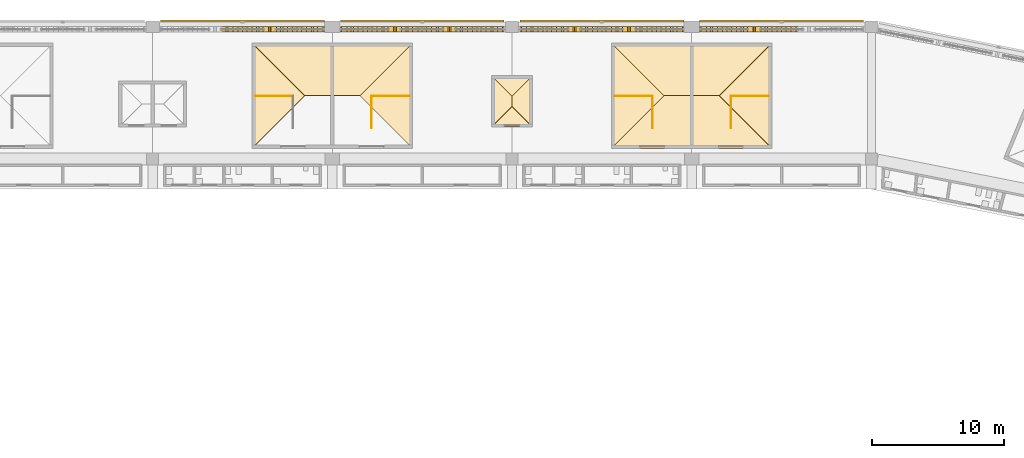
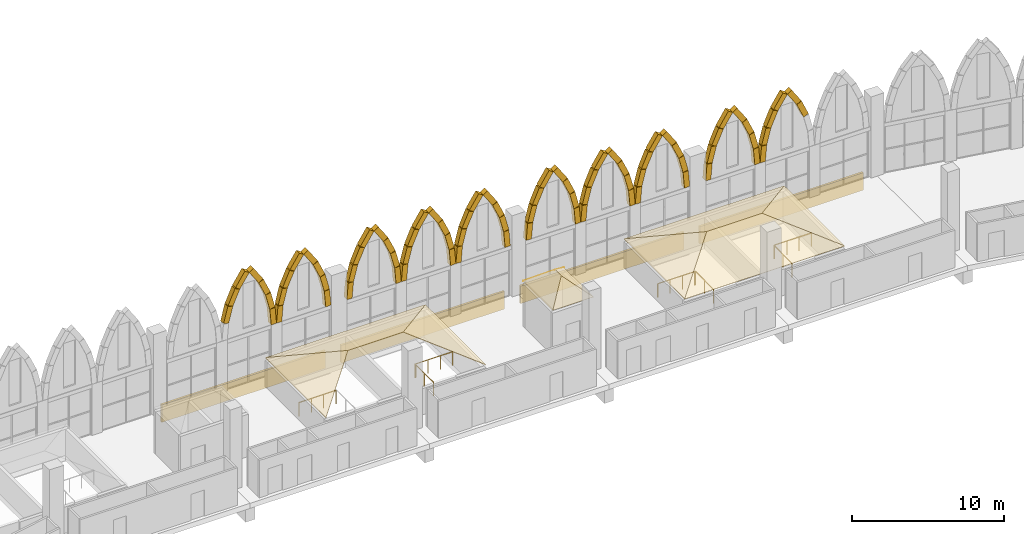
# One storey, part 118 of 130: 92 coverings, 7 railings.
"""IFC4 building model written with IfcOpenShell, lengths in metres."""

import ifcopenshell
import ifcopenshell.guid

model = None  # the IFC model being written
_history = None  # IfcOwnerHistory: only IFC2X3 demands one
_inside = {}  # id of a spatial element -> (the spatial element, [elements in it])
_under = {}  # id of a project, library or spatial element -> (it, [spatial elements below it])
_declared = {}  # id of a project -> (the project, [libraries it declares])
_typed = {}  # id of a type object -> (the type object, [elements of that type])
_made_of = {}  # id of a material, layer set ... -> (it, [elements and type objects made of it])


def new_model(schema):
    """Start an empty IFC model of exactly this schema.

    Asked for "IFC4X3", IfcOpenShell would pick the latest addendum, in which some entities
    have other attributes; the version numbers below select the first issue.
    IFC2X3 requires an IfcOwnerHistory on every rooted entity: one is made here for all.
    """
    global model, _history
    if schema == "IFC4X3":
        model = ifcopenshell.file(schema_version=(4, 3, 0, 0))
    else:
        model = ifcopenshell.file(schema=schema)
    _inside.clear()
    _under.clear()
    _declared.clear()
    _typed.clear()
    _made_of.clear()
    _history = None
    if model.schema == "IFC2X3":
        org = make("IfcOrganization", Name="unknown")
        user = make(
            "IfcPersonAndOrganization",
            ThePerson=make("IfcPerson", FamilyName="unknown"),
            TheOrganization=org,
        )
        app = make(
            "IfcApplication",
            ApplicationDeveloper=org,
            Version="unknown",
            ApplicationFullName="unknown",
            ApplicationIdentifier="unknown",
        )
        _history = make(
            "IfcOwnerHistory",
            OwningUser=user,
            OwningApplication=app,
            ChangeAction="ADDED",
            CreationDate=0,
        )
    return model


def make(cls, **values):
    """One entity of the class cls with the attributes given. An attribute that is None is left unset."""
    return model.create_entity(
        cls, **{name: value for name, value in values.items() if value is not None}
    )


def rooted(cls, **values):
    """An entity with a GlobalId (a new one), such as an element, a storey or a relation."""
    return make(cls, GlobalId=ifcopenshell.guid.new(), OwnerHistory=_history, **values)


def si_unit(unit_type, name, prefix=None):
    """IfcSIUnit, for example si_unit("LENGTHUNIT", "METRE", prefix="MILLI")."""
    return make("IfcSIUnit", UnitType=unit_type, Prefix=prefix, Name=name)


def assignment(units):
    """IfcUnitAssignment: the units of a project."""
    return None if units is None else make("IfcUnitAssignment", Units=units)


def point(xyz):
    """IfcCartesianPoint."""
    return None if xyz is None else make("IfcCartesianPoint", Coordinates=xyz)


def direction(xyz):
    """IfcDirection."""
    return None if xyz is None else make("IfcDirection", DirectionRatios=xyz)


def frame(location, z_axis=None, x_axis=None):
    """IfcAxis2Placement3D, a coordinate frame: its origin and axes. An axis left out is left unset."""
    return make(
        "IfcAxis2Placement3D",
        Location=point(location),
        Axis=direction(z_axis),
        RefDirection=direction(x_axis),
    )


def frame_2d(location, x_axis=None):
    """IfcAxis2Placement2D, a coordinate frame in the plane: its origin and x axis."""
    return make(
        "IfcAxis2Placement2D", Location=point(location), RefDirection=direction(x_axis)
    )


def origin():
    """The frame at (0, 0, 0) with its axes left unset."""
    return frame((0.0, 0.0, 0.0))


def origin_2d():
    """The frame at (0, 0) in the plane with its x axis left unset."""
    return frame_2d((0.0, 0.0))


def place(relative_to, where):
    """IfcLocalPlacement: puts the frame where relative to a parent placement (None: the world)."""
    return make(
        "IfcLocalPlacement", PlacementRelTo=relative_to, RelativePlacement=where
    )


def context(
    kind, dimensions, precision=None, world=None, true_north=None, identifier=None
):
    """IfcGeometricRepresentationContext, for example the 3D "Model" context."""
    return make(
        "IfcGeometricRepresentationContext",
        ContextIdentifier=identifier,
        ContextType=kind,
        CoordinateSpaceDimension=dimensions,
        Precision=precision,
        WorldCoordinateSystem=world,
        TrueNorth=true_north,
    )


def subcontext(parent, identifier, kind, view, scale=None):
    """IfcGeometricRepresentationSubContext, for example "Body" below "Model"."""
    return make(
        "IfcGeometricRepresentationSubContext",
        ContextIdentifier=identifier,
        ContextType=kind,
        ParentContext=parent,
        TargetScale=scale,
        TargetView=view,
    )


def project(units=None, contexts=None):
    """IfcProject with its units and contexts."""
    return rooted(
        "IfcProject",
        Name="project",
        RepresentationContexts=contexts,
        UnitsInContext=assignment(units),
    )


def spatial(cls, under=None, at=None, **own):
    """A site, building, storey or space (cls), placed at a placement, below another one or the project."""
    s = rooted(cls, ObjectPlacement=at, **own)
    if under is not None:
        _under.setdefault(under.id(), (under, []))[1].append(s)
    return s


def polyline(points):
    """IfcPolyline through the points."""
    return make("IfcPolyline", Points=[point(p) for p in points])


def profile(cls, at=None, kind="AREA", **sizes):
    """A parametric profile (cls). Its sizes go by their IFC names, for example OverallWidth=200.0."""
    return make(cls, ProfileType=kind, Position=at, **sizes)


def rectangle(**sizes):
    """IfcRectangleProfileDef."""
    return profile("IfcRectangleProfileDef", **sizes)


def circle(**sizes):
    """IfcCircleProfileDef."""
    return profile("IfcCircleProfileDef", **sizes)


def outline(outer, holes=None, kind="AREA"):
    """IfcArbitraryClosedProfileDef: a profile drawn as a closed curve; with holes, ...WithVoids."""
    if holes is None:
        return make("IfcArbitraryClosedProfileDef", ProfileType=kind, OuterCurve=outer)
    return make(
        "IfcArbitraryProfileDefWithVoids",
        ProfileType=kind,
        OuterCurve=outer,
        InnerCurves=holes,
    )


def extrude(swept, where, along, depth):
    """IfcExtrudedAreaSolid: the profile swept, set in the frame where, extruded along a direction by depth."""
    return make(
        "IfcExtrudedAreaSolid",
        SweptArea=swept,
        Position=where,
        ExtrudedDirection=direction(along),
        Depth=depth,
    )


def shape(context_of_items, identifier, shape_type, items):
    """IfcShapeRepresentation: the items that make up one representation, for example the "Body"."""
    return make(
        "IfcShapeRepresentation",
        ContextOfItems=context_of_items,
        RepresentationIdentifier=identifier,
        RepresentationType=shape_type,
        Items=items,
    )


def material(Name=None, Category=None):
    """IfcMaterial."""
    return make("IfcMaterial", Name=Name, Category=Category)


def layer(
    of_material, thickness, ventilated=None, Name=None, Category=None, Priority=None
):
    """IfcMaterialLayer: one layer of a wall or slab, of a material (None: an air gap)."""
    return make(
        "IfcMaterialLayer",
        Material=of_material,
        LayerThickness=thickness,
        IsVentilated=ventilated,
        Name=Name,
        Category=Category,
        Priority=Priority,
    )


def layer_set(layers, Name=None):
    """IfcMaterialLayerSet."""
    return make("IfcMaterialLayerSet", MaterialLayers=layers, LayerSetName=Name)


def material_profile(
    of_material, cross_section, Name=None, Category=None, Priority=None
):
    """IfcMaterialProfile: a cross section and its material."""
    return make(
        "IfcMaterialProfile",
        Name=Name,
        Material=of_material,
        Profile=cross_section,
        Priority=Priority,
        Category=Category,
    )


def profile_set(profiles, Name=None, composite=None):
    """IfcMaterialProfileSet."""
    return make(
        "IfcMaterialProfileSet",
        Name=Name,
        MaterialProfiles=profiles,
        CompositeProfile=composite,
    )


def made_of(thing, what):
    """Note that an element or type object is made of a material, layer set ...; save() writes the relation."""
    if what is not None:
        _made_of.setdefault(what.id(), (what, []))[1].append(thing)
    return thing


def type_object(cls, material=None, **own):
    """A type object (cls), such as IfcWallType, which elements share."""
    return made_of(rooted(cls, **own), material)


def element(
    cls,
    number,
    at=None,
    inside=None,
    cuts=None,
    type_object=None,
    material=None,
    context=None,
    identifier="Body",
    shape_type=None,
    held_by="IfcProductDefinitionShape",
    body=None,
    shapes=None,
    **own,
):
    """One element of the class cls, such as IfcWall. Its Tag is "e" and its number.

    at: its placement. inside: the storey or other place that contains it. cuts: it is an
    opening in that element (IfcRelVoidsElement). A single representation is given by context,
    identifier, shape_type and body (its items); several are given by shapes. held_by: the class
    of the entity that holds the representations. save() writes the other relations.
    """
    e = rooted(cls, Tag="e%d" % number, ObjectPlacement=at, **own)
    if body is not None:
        shapes = [shape(context, identifier, shape_type, body)]
    if shapes is not None:
        e.Representation = make(held_by, Representations=shapes)
    if inside is not None:
        _inside.setdefault(inside.id(), (inside, []))[1].append(e)
    if cuts is not None:
        rooted(
            "IfcRelVoidsElement", RelatingBuildingElement=cuts, RelatedOpeningElement=e
        )
    if type_object is not None:
        _typed.setdefault(type_object.id(), (type_object, []))[1].append(e)
    return made_of(e, material)


def aggregate(whole, parts):
    """IfcRelAggregates: a whole, such as a stair, and the parts it consists of."""
    return rooted("IfcRelAggregates", RelatingObject=whole, RelatedObjects=parts)


def save(model, path):
    """Write the relations noted so far, then the file.

    IfcRelAggregates (storeys below a building ...), IfcRelContainedInSpatialStructure (elements
    in a storey), IfcRelDefinesByType, IfcRelAssociatesMaterial and IfcRelDeclares: one each for
    every whole, place, type object, material and project.
    """
    for whole, parts in _under.values():
        aggregate(whole, parts)
    for where, things in _inside.values():
        rooted(
            "IfcRelContainedInSpatialStructure",
            RelatedElements=things,
            RelatingStructure=where,
        )
    for kind, things in _typed.values():
        rooted("IfcRelDefinesByType", RelatedObjects=things, RelatingType=kind)
    for what, things in _made_of.values():
        rooted("IfcRelAssociatesMaterial", RelatedObjects=things, RelatingMaterial=what)
    for by, libraries in _declared.values():
        rooted("IfcRelDeclares", RelatingContext=by, RelatedDefinitions=libraries)
    model.write(path)


model = new_model("IFC4")

# Units and contexts
model_context = context("Model", 3, precision=1e-05, world=origin(), true_north=direction((0.0, 1.0)))
body_context = subcontext(model_context, "Body", "Model", "MODEL_VIEW")
ifc_project = project(units=[si_unit("LENGTHUNIT", "METRE"), si_unit("AREAUNIT", "SQUARE_METRE"), si_unit("VOLUMEUNIT", "CUBIC_METRE"), si_unit("PLANEANGLEUNIT", "RADIAN"), si_unit("MASSUNIT", "GRAM", prefix="KILO")], contexts=[model_context])

# Site, building, storey
site_placement = place(None, origin())
site = spatial("IfcSite", under=ifc_project, at=site_placement, CompositionType="ELEMENT")
building_placement = place(site_placement, origin())
building = spatial("IfcBuilding", under=site, at=building_placement, Name="Ogive Plaza Stadium", CompositionType="ELEMENT")
storey_placement = place(building_placement, frame((0.0, 0.0, 22.5)))
storey = spatial("IfcBuildingStorey", under=building, at=storey_placement, Name="L05", CompositionType="ELEMENT", Elevation=22.5)

# Railings
ifc_material_1 = material(Name="Steel ASTM A572 Grade 50", Category="steel")
railing_type = type_object("IfcRailingType", Name="Guard 1100", PredefinedType="GUARDRAIL", material=ifc_material_1)
railing_1_placement = place(storey_placement, frame((-3.824951171875, 94.85009765625, 0.0)))
element("IfcRailing", 1, at=railing_1_placement, inside=storey, type_object=railing_type, Name="Stair well guard ST34A L05", PredefinedType="GUARDRAIL", context=body_context, shape_type="SweptSolid", body=[
    extrude(circle(Radius=0.02392578125, at=origin_2d()), frame((0.0, 0.0, 1.076171875), z_axis=(0.0, 1.0, 0.0), x_axis=(-1.0, 0.0, 0.0)), (0.0, 0.0, 1.0), 2.39990234375),
    extrude(circle(Radius=0.02099609375, at=origin_2d()), origin(), (0.0, 0.0, 1.0), 1.052001953125),
    extrude(circle(Radius=0.02099609375, at=origin_2d()), frame((0.0, 1.199951171875, 0.0)), (0.0, 0.0, 1.0), 1.052001953125),
    extrude(circle(Radius=0.02099609375, at=origin_2d()), frame((0.0, 2.39990234375, 0.0)), (0.0, 0.0, 1.0), 1.052001953125),
])
railing_2_placement = place(storey_placement, frame((-0.97509765625, 97.25, 0.0)))
element("IfcRailing", 2, at=railing_2_placement, inside=storey, type_object=railing_type, Name="Stair guard ST34A L05", PredefinedType="GUARDRAIL", context=body_context, shape_type="SweptSolid", body=[
    extrude(circle(Radius=0.02392578125, at=origin_2d()), frame((0.0, 0.0, 1.076171875), z_axis=(-1.0, 0.0, 0.0), x_axis=(0.0, -1.0, 0.0)), (0.0, 0.0, 1.0), 2.7998046875),
    extrude(circle(Radius=0.02099609375, at=origin_2d()), origin(), (0.0, 0.0, 1.0), 1.052001953125),
    extrude(circle(Radius=0.02099609375, at=origin_2d()), frame((-0.933349609375, 0.0, 0.0)), (0.0, 0.0, 1.0), 1.052001953125),
    extrude(circle(Radius=0.02099609375, at=origin_2d()), frame((-1.866455078125, 0.0, 0.0)), (0.0, 0.0, 1.0), 1.052001953125),
    extrude(circle(Radius=0.02099609375, at=origin_2d()), frame((-2.7998046875, 0.0, 0.0)), (0.0, 0.0, 1.0), 1.052001953125),
])
railing_3_placement = place(storey_placement, frame((-9.824951171875, 97.25, 0.0)))
element("IfcRailing", 3, at=railing_3_placement, inside=storey, type_object=railing_type, Name="Stair guard ST34B L05", PredefinedType="GUARDRAIL", context=body_context, shape_type="SweptSolid", body=[
    extrude(circle(Radius=0.02392578125, at=origin_2d()), frame((0.0, 0.0, 1.076171875), z_axis=(-1.0, 0.0, 0.0), x_axis=(0.0, -1.0, 0.0)), (0.0, 0.0, 1.0), 2.800048828125),
    extrude(circle(Radius=0.02099609375, at=origin_2d()), origin(), (0.0, 0.0, 1.0), 1.052001953125),
    extrude(circle(Radius=0.02099609375, at=origin_2d()), frame((-0.933349609375, 0.0, 0.0)), (0.0, 0.0, 1.0), 1.052001953125),
    extrude(circle(Radius=0.02099609375, at=origin_2d()), frame((-1.86669921875, 0.0, 0.0)), (0.0, 0.0, 1.0), 1.052001953125),
    extrude(circle(Radius=0.02099609375, at=origin_2d()), frame((-2.800048828125, 0.0, 0.0)), (0.0, 0.0, 1.0), 1.052001953125),
])
railing_4_placement = place(storey_placement, frame((23.375, 94.85009765625, 0.0)))
element("IfcRailing", 4, at=railing_4_placement, inside=storey, type_object=railing_type, Name="Stair well guard ST36A L05", PredefinedType="GUARDRAIL", context=body_context, shape_type="SweptSolid", body=[
    extrude(circle(Radius=0.02392578125, at=origin_2d()), frame((0.0, 0.0, 1.076171875), z_axis=(0.0, 1.0, 0.0), x_axis=(-1.0, 0.0, 0.0)), (0.0, 0.0, 1.0), 2.39990234375),
    extrude(circle(Radius=0.02099609375, at=origin_2d()), origin(), (0.0, 0.0, 1.0), 1.052001953125),
    extrude(circle(Radius=0.02099609375, at=origin_2d()), frame((0.0, 1.199951171875, 0.0)), (0.0, 0.0, 1.0), 1.052001953125),
    extrude(circle(Radius=0.02099609375, at=origin_2d()), frame((0.0, 2.39990234375, 0.0)), (0.0, 0.0, 1.0), 1.052001953125),
])
railing_5_placement = place(storey_placement, frame((26.22509765625, 97.25, 0.0)))
element("IfcRailing", 5, at=railing_5_placement, inside=storey, type_object=railing_type, Name="Stair guard ST36A L05", PredefinedType="GUARDRAIL", context=body_context, shape_type="SweptSolid", body=[
    extrude(circle(Radius=0.02392578125, at=origin_2d()), frame((0.0, 0.0, 1.076171875), z_axis=(-1.0, 0.0, 0.0), x_axis=(0.0, -1.0, 0.0)), (0.0, 0.0, 1.0), 2.800048828125),
    extrude(circle(Radius=0.02099609375, at=origin_2d()), origin(), (0.0, 0.0, 1.0), 1.052001953125),
    extrude(circle(Radius=0.02099609375, at=origin_2d()), frame((-0.933349609375, 0.0, 0.0)), (0.0, 0.0, 1.0), 1.052001953125),
    extrude(circle(Radius=0.02099609375, at=origin_2d()), frame((-1.86669921875, 0.0, 0.0)), (0.0, 0.0, 1.0), 1.052001953125),
    extrude(circle(Radius=0.02099609375, at=origin_2d()), frame((-2.800048828125, 0.0, 0.0)), (0.0, 0.0, 1.0), 1.052001953125),
])
railing_6_placement = place(storey_placement, frame((17.425048828125, 94.85009765625, 0.0)))
element("IfcRailing", 6, at=railing_6_placement, inside=storey, type_object=railing_type, Name="Stair well guard ST36B L05", PredefinedType="GUARDRAIL", context=body_context, shape_type="SweptSolid", body=[
    extrude(circle(Radius=0.02392578125, at=origin_2d()), frame((0.0, 0.0, 1.076171875), z_axis=(0.0, 1.0, 0.0), x_axis=(-1.0, 0.0, 0.0)), (0.0, 0.0, 1.0), 2.39990234375),
    extrude(circle(Radius=0.02099609375, at=origin_2d()), origin(), (0.0, 0.0, 1.0), 1.052001953125),
    extrude(circle(Radius=0.02099609375, at=origin_2d()), frame((0.0, 1.199951171875, 0.0)), (0.0, 0.0, 1.0), 1.052001953125),
    extrude(circle(Radius=0.02099609375, at=origin_2d()), frame((0.0, 2.39990234375, 0.0)), (0.0, 0.0, 1.0), 1.052001953125),
])
railing_7_placement = place(storey_placement, frame((17.375, 97.25, 0.0)))
element("IfcRailing", 7, at=railing_7_placement, inside=storey, type_object=railing_type, Name="Stair guard ST36B L05", PredefinedType="GUARDRAIL", context=body_context, shape_type="SweptSolid", body=[
    extrude(circle(Radius=0.02392578125, at=origin_2d()), frame((0.0, 0.0, 1.076171875), z_axis=(-1.0, 0.0, 0.0), x_axis=(0.0, -1.0, 0.0)), (0.0, 0.0, 1.0), 2.800048828125),
    extrude(circle(Radius=0.02099609375, at=origin_2d()), origin(), (0.0, 0.0, 1.0), 1.052001953125),
    extrude(circle(Radius=0.02099609375, at=origin_2d()), frame((-0.933349609375, 0.0, 0.0)), (0.0, 0.0, 1.0), 1.052001953125),
    extrude(circle(Radius=0.02099609375, at=origin_2d()), frame((-1.86669921875, 0.0, 0.0)), (0.0, 0.0, 1.0), 1.052001953125),
    extrude(circle(Radius=0.02099609375, at=origin_2d()), frame((-2.800048828125, 0.0, 0.0)), (0.0, 0.0, 1.0), 1.052001953125),
])

# Coverings
ifc_material_2 = material(Name="Zinc sheet", Category="metal")
ifc_layer_1 = layer(ifc_material_2, 0.030029296875)
ifc_layer_set_1 = layer_set([ifc_layer_1], Name="Overrun roof zinc 30")
covering_type_1 = type_object("IfcCoveringType", Name="Overrun roof zinc 30", PredefinedType="ROOFING", material=ifc_layer_set_1)
covering_1_placement = place(storey_placement, frame((8.35009765625, 94.89990234375, 3.623046875), z_axis=(0.642614547277, 0.0, 0.766189626416), x_axis=(0.0, 1.0, 0.0)))
element("IfcCovering", 8, at=covering_1_placement, inside=storey, type_object=covering_type_1, Name="Lift overrun roof facet LS35 1", PredefinedType="ROOFING", context=body_context, shape_type="SweptSolid", body=[
    extrude(outline(polyline([(0.0, 0.0), (3.900146484375, 0.0), (2.35009765625, 2.023061621671686), (1.550048828125, 2.023061621671686), (0.0, 0.0)])), origin(), (0.0, 0.0, -1.0), 0.030029296875),
])
covering_2_placement = place(storey_placement, frame((8.35009765625, 98.800048828125, 3.623046875), z_axis=(0.0, 0.642614547277, 0.766189626416), x_axis=(-1.0, 0.0, 0.0)))
element("IfcCovering", 9, at=covering_2_placement, inside=storey, type_object=covering_type_1, Name="Lift overrun roof facet LS35 2", PredefinedType="ROOFING", context=body_context, shape_type="SweptSolid", body=[
    extrude(outline(polyline([(0.0, 0.0), (3.10009765625, 0.0), (1.550048828125, 2.023061621671686), (0.0, 0.0)])), origin(), (0.0, 0.0, -1.0), 0.030029296875),
])
covering_3_placement = place(storey_placement, frame((5.25, 98.800048828125, 3.623046875), z_axis=(-0.642614547277, 0.0, 0.766189626416), x_axis=(0.0, -1.0, 0.0)))
element("IfcCovering", 10, at=covering_3_placement, inside=storey, type_object=covering_type_1, Name="Lift overrun roof facet LS35 3", PredefinedType="ROOFING", context=body_context, shape_type="SweptSolid", body=[
    extrude(outline(polyline([(0.0, 0.0), (3.900146484375, 0.0), (2.35009765625, 2.023061621671686), (1.550048828125, 2.023061621671686), (0.0, 0.0)])), origin(), (0.0, 0.0, -1.0), 0.030029296875),
])
covering_4_placement = place(storey_placement, frame((5.25, 94.89990234375, 3.623046875), z_axis=(0.0, -0.642614547277, 0.766189626416), x_axis=(1.0, 0.0, 0.0)))
element("IfcCovering", 11, at=covering_4_placement, inside=storey, type_object=covering_type_1, Name="Lift overrun roof facet LS35 4", PredefinedType="ROOFING", context=body_context, shape_type="SweptSolid", body=[
    extrude(outline(polyline([(0.0, 0.0), (3.10009765625, 0.0), (1.550048828125, 2.023061621671686), (0.0, 0.0)])), origin(), (0.0, 0.0, -1.0), 0.030029296875),
])
ifc_material_3 = material(Name="Cast stone (reconstituted limestone)", Category="masonry")
ifc_material_profile = material_profile(ifc_material_3, rectangle(XDim=0.39990234375, YDim=0.39990234375, at=origin_2d()), Name="Cast stone 400x400")
ifc_profile_set = profile_set([ifc_material_profile], Name="Cast stone (reconstituted limestone)")
covering_type_2 = type_object("IfcCoveringType", Name="Precast arch rib 400x400", PredefinedType="MOLDING", material=ifc_profile_set)
for number, where, z_axis, x_axis, name in (
    (12, (-15.3525390625, 102.300048828125, 5.437744140625), (0.247952785685, 0.0, 0.96877211772), (0.0, 1.0, 0.0), "ARCH RIB B33 2.2"),
    (13, (-15.02099609375, 102.300048828125, 6.7216796875), (0.405647789331, 0.0, 0.914029469443), (0.0, 1.0, 0.0), "ARCH RIB B33 2.3"),
    (14, (-14.48046875, 102.300048828125, 7.9326171875), (0.552038792089, 0.0, 0.833818428694), (0.0, 1.0, 0.0), "ARCH RIB B33 2.4"),
    (15, (-13.433349609375, 102.300048828125, 9.010498046875), (0.55217007731, 0.0, -0.833731494981), (0.0, 1.0, 0.0), "ARCH RIB B33 2.5"),
):
    element("IfcCovering", number, at=place(storey_placement, frame(where, z_axis=z_axis, x_axis=x_axis)), inside=storey, type_object=covering_type_2, Name=name, PredefinedType="MOLDING", context=body_context, shape_type="SweptSolid", body=[
        extrude(rectangle(XDim=0.39990234375, YDim=0.39990234375, at=origin_2d()), origin(), (0.0, 0.0, 1.0), 1.292724609375),
    ])
for number, where, z_axis, x_axis, name in (
    (16, (-12.70361328125, 102.300048828125, 7.9033203125), (0.405805545127, 0.0, -0.913959440864), (0.0, 1.0, 0.0), "ARCH RIB B33 2.6"),
    (17, (-12.168212890625, 102.300048828125, 6.690185546875), (0.248130007434, 0.0, -0.968726741352), (0.0, 1.0, 0.0), "ARCH RIB B33 2.7"),
):
    element("IfcCovering", number, at=place(storey_placement, frame(where, z_axis=z_axis, x_axis=x_axis)), inside=storey, type_object=covering_type_2, Name=name, PredefinedType="MOLDING", context=body_context, shape_type="SweptSolid", body=[
        extrude(rectangle(XDim=0.39990234375, YDim=0.39990234375, at=origin_2d()), origin(), (0.0, 0.0, 1.0), 1.29296875),
    ])
for number, where, z_axis, x_axis, name in (
    (18, (-11.841796875, 102.300048828125, 5.405029296875), (0.083279903745, 0.0, -0.996526195156), (0.0, 1.0, 0.0), "ARCH RIB B33 2.8"),
    (19, (-11.33251953125, 102.300048828125, 4.11669921875), (0.083279903745, 0.0, 0.996526195156), (0.0, 1.0, 0.0), "ARCH RIB B33 3.1"),
    (20, (-11.21923828125, 102.300048828125, 5.437744140625), (0.247952785685, 0.0, 0.96877211772), (0.0, 1.0, 0.0), "ARCH RIB B33 3.2"),
):
    element("IfcCovering", number, at=place(storey_placement, frame(where, z_axis=z_axis, x_axis=x_axis)), inside=storey, type_object=covering_type_2, Name=name, PredefinedType="MOLDING", context=body_context, shape_type="SweptSolid", body=[
        extrude(rectangle(XDim=0.39990234375, YDim=0.39990234375, at=origin_2d()), origin(), (0.0, 0.0, 1.0), 1.292724609375),
    ])
covering_5_placement = place(storey_placement, frame((-10.8876953125, 102.300048828125, 6.7216796875), z_axis=(0.405805545127, 0.0, 0.913959440864), x_axis=(0.0, 1.0, 0.0)))
element("IfcCovering", 21, at=covering_5_placement, inside=storey, type_object=covering_type_2, Name="ARCH RIB B33 3.3", PredefinedType="MOLDING", context=body_context, shape_type="SweptSolid", body=[
    extrude(rectangle(XDim=0.39990234375, YDim=0.39990234375, at=origin_2d()), origin(), (0.0, 0.0, 1.0), 1.29296875),
])
for number, where, z_axis, x_axis, name in (
    (22, (-10.34716796875, 102.300048828125, 7.9326171875), (0.552038792089, 0.0, 0.833818428694), (0.0, 1.0, 0.0), "ARCH RIB B33 3.4"),
    (23, (-9.2998046875, 102.300048828125, 9.010498046875), (0.552038792089, 0.0, -0.833818428694), (0.0, 1.0, 0.0), "ARCH RIB B33 3.5"),
    (24, (-8.570068359375, 102.300048828125, 7.9033203125), (0.405647789331, 0.0, -0.914029469443), (0.0, 1.0, 0.0), "ARCH RIB B33 3.6"),
    (25, (-8.03466796875, 102.300048828125, 6.690185546875), (0.247952785685, 0.0, -0.96877211772), (0.0, 1.0, 0.0), "ARCH RIB B33 3.7"),
    (26, (-7.70849609375, 102.300048828125, 5.405029296875), (0.083467432906, 0.0, -0.996510505536), (0.0, 1.0, 0.0), "ARCH RIB B33 3.8"),
    (27, (-5.999267578125, 102.300048828125, 4.11669921875), (0.083467432906, 0.0, 0.996510505536), (0.0, 1.0, 0.0), "ARCH RIB B34 1.1"),
):
    element("IfcCovering", number, at=place(storey_placement, frame(where, z_axis=z_axis, x_axis=x_axis)), inside=storey, type_object=covering_type_2, Name=name, PredefinedType="MOLDING", context=body_context, shape_type="SweptSolid", body=[
        extrude(rectangle(XDim=0.39990234375, YDim=0.39990234375, at=origin_2d()), origin(), (0.0, 0.0, 1.0), 1.292724609375),
    ])
covering_6_placement = place(storey_placement, frame((-5.885986328125, 102.300048828125, 5.437744140625), z_axis=(0.248130007434, 0.0, 0.968726741352), x_axis=(0.0, 1.0, 0.0)))
element("IfcCovering", 28, at=covering_6_placement, inside=storey, type_object=covering_type_2, Name="ARCH RIB B34 1.2", PredefinedType="MOLDING", context=body_context, shape_type="SweptSolid", body=[
    extrude(rectangle(XDim=0.39990234375, YDim=0.39990234375, at=origin_2d()), origin(), (0.0, 0.0, 1.0), 1.29296875),
])
for number, where, z_axis, x_axis, name in (
    (29, (-5.55419921875, 102.300048828125, 6.7216796875), (0.405647789331, 0.0, 0.914029469443), (0.0, 1.0, 0.0), "ARCH RIB B34 1.3"),
    (30, (-5.013671875, 102.300048828125, 7.9326171875), (0.552038792089, 0.0, 0.833818428694), (0.0, 1.0, 0.0), "ARCH RIB B34 1.4"),
    (31, (-3.966552734375, 102.300048828125, 9.010498046875), (0.552038792089, 0.0, -0.833818428694), (0.0, 1.0, 0.0), "ARCH RIB B34 1.5"),
    (32, (-3.23681640625, 102.300048828125, 7.9033203125), (0.405647789331, 0.0, -0.914029469443), (0.0, 1.0, 0.0), "ARCH RIB B34 1.6"),
    (33, (-2.701416015625, 102.300048828125, 6.690185546875), (0.247952785685, 0.0, -0.96877211772), (0.0, 1.0, 0.0), "ARCH RIB B34 1.7"),
    (34, (-2.375244140625, 102.300048828125, 5.405029296875), (0.083467432906, 0.0, -0.996510505536), (0.0, 1.0, 0.0), "ARCH RIB B34 1.8"),
    (35, (-1.865966796875, 102.300048828125, 4.11669921875), (0.083467432906, 0.0, 0.996510505536), (0.0, 1.0, 0.0), "ARCH RIB B34 2.1"),
    (36, (-1.75244140625, 102.300048828125, 5.437744140625), (0.247952785685, 0.0, 0.96877211772), (0.0, 1.0, 0.0), "ARCH RIB B34 2.2"),
    (37, (-1.4208984375, 102.300048828125, 6.7216796875), (0.405647789331, 0.0, 0.914029469443), (0.0, 1.0, 0.0), "ARCH RIB B34 2.3"),
    (38, (-0.88037109375, 102.300048828125, 7.9326171875), (0.552038792089, 0.0, 0.833818428694), (0.0, 1.0, 0.0), "ARCH RIB B34 2.4"),
    (39, (0.166748046875, 102.300048828125, 9.010498046875), (0.552038792089, 0.0, -0.833818428694), (0.0, 1.0, 0.0), "ARCH RIB B34 2.5"),
    (40, (0.896484375, 102.300048828125, 7.9033203125), (0.405647789331, 0.0, -0.914029469443), (0.0, 1.0, 0.0), "ARCH RIB B34 2.6"),
    (41, (1.431884765625, 102.300048828125, 6.690185546875), (0.247952785685, 0.0, -0.96877211772), (0.0, 1.0, 0.0), "ARCH RIB B34 2.7"),
    (42, (1.758056640625, 102.300048828125, 5.405029296875), (0.083467432906, 0.0, -0.996510505536), (0.0, 1.0, 0.0), "ARCH RIB B34 2.8"),
    (43, (2.267333984375, 102.300048828125, 4.11669921875), (0.083467432906, 0.0, 0.996510505536), (0.0, 1.0, 0.0), "ARCH RIB B34 3.1"),
    (44, (2.380859375, 102.300048828125, 5.437744140625), (0.247952785685, 0.0, 0.96877211772), (0.0, 1.0, 0.0), "ARCH RIB B34 3.2"),
    (45, (2.71240234375, 102.300048828125, 6.7216796875), (0.405647789331, 0.0, 0.914029469443), (0.0, 1.0, 0.0), "ARCH RIB B34 3.3"),
    (46, (3.2529296875, 102.300048828125, 7.9326171875), (0.552038792089, 0.0, 0.833818428694), (0.0, 1.0, 0.0), "ARCH RIB B34 3.4"),
    (47, (4.300048828125, 102.300048828125, 9.010498046875), (0.552038792089, 0.0, -0.833818428694), (0.0, 1.0, 0.0), "ARCH RIB B34 3.5"),
    (48, (5.02978515625, 102.300048828125, 7.9033203125), (0.405647789331, 0.0, -0.914029469443), (0.0, 1.0, 0.0), "ARCH RIB B34 3.6"),
):
    element("IfcCovering", number, at=place(storey_placement, frame(where, z_axis=z_axis, x_axis=x_axis)), inside=storey, type_object=covering_type_2, Name=name, PredefinedType="MOLDING", context=body_context, shape_type="SweptSolid", body=[
        extrude(rectangle(XDim=0.39990234375, YDim=0.39990234375, at=origin_2d()), origin(), (0.0, 0.0, 1.0), 1.292724609375),
    ])
covering_7_placement = place(storey_placement, frame((5.565185546875, 102.300048828125, 6.690185546875), z_axis=(0.248130007434, 0.0, -0.968726741352), x_axis=(0.0, 1.0, 0.0)))
element("IfcCovering", 49, at=covering_7_placement, inside=storey, type_object=covering_type_2, Name="ARCH RIB B34 3.7", PredefinedType="MOLDING", context=body_context, shape_type="SweptSolid", body=[
    extrude(rectangle(XDim=0.39990234375, YDim=0.39990234375, at=origin_2d()), origin(), (0.0, 0.0, 1.0), 1.29296875),
])
for number, where, z_axis, x_axis, name in (
    (50, (5.891357421875, 102.300048828125, 5.405029296875), (0.083467432906, 0.0, -0.996510505536), (0.0, 1.0, 0.0), "ARCH RIB B34 3.8"),
    (51, (7.6005859375, 102.300048828125, 4.11669921875), (0.083467432906, 0.0, 0.996510505536), (0.0, 1.0, 0.0), "ARCH RIB B35 1.1"),
    (52, (7.714111328125, 102.300048828125, 5.437744140625), (0.247952785685, 0.0, 0.96877211772), (0.0, 1.0, 0.0), "ARCH RIB B35 1.2"),
    (53, (8.045654296875, 102.300048828125, 6.7216796875), (0.405647789331, 0.0, 0.914029469443), (0.0, 1.0, 0.0), "ARCH RIB B35 1.3"),
    (54, (8.586181640625, 102.300048828125, 7.9326171875), (0.552038792089, 0.0, 0.833818428694), (0.0, 1.0, 0.0), "ARCH RIB B35 1.4"),
    (55, (9.633544921875, 102.300048828125, 9.010498046875), (0.552038792089, 0.0, -0.833818428694), (0.0, 1.0, 0.0), "ARCH RIB B35 1.5"),
):
    element("IfcCovering", number, at=place(storey_placement, frame(where, z_axis=z_axis, x_axis=x_axis)), inside=storey, type_object=covering_type_2, Name=name, PredefinedType="MOLDING", context=body_context, shape_type="SweptSolid", body=[
        extrude(rectangle(XDim=0.39990234375, YDim=0.39990234375, at=origin_2d()), origin(), (0.0, 0.0, 1.0), 1.292724609375),
    ])
covering_8_placement = place(storey_placement, frame((10.363037109375, 102.300048828125, 7.9033203125), z_axis=(0.405805545127, 0.0, -0.913959440864), x_axis=(0.0, 1.0, 0.0)))
element("IfcCovering", 56, at=covering_8_placement, inside=storey, type_object=covering_type_2, Name="ARCH RIB B35 1.6", PredefinedType="MOLDING", context=body_context, shape_type="SweptSolid", body=[
    extrude(rectangle(XDim=0.39990234375, YDim=0.39990234375, at=origin_2d()), origin(), (0.0, 0.0, 1.0), 1.29296875),
])
for number, where, z_axis, x_axis, name in (
    (57, (10.898681640625, 102.300048828125, 6.690185546875), (0.247952785685, 0.0, -0.96877211772), (0.0, 1.0, 0.0), "ARCH RIB B35 1.7"),
    (58, (11.224853515625, 102.300048828125, 5.405029296875), (0.083279903745, 0.0, -0.996526195156), (0.0, 1.0, 0.0), "ARCH RIB B35 1.8"),
    (59, (11.734130859375, 102.300048828125, 4.11669921875), (0.083279903745, 0.0, 0.996526195156), (0.0, 1.0, 0.0), "ARCH RIB B35 2.1"),
):
    element("IfcCovering", number, at=place(storey_placement, frame(where, z_axis=z_axis, x_axis=x_axis)), inside=storey, type_object=covering_type_2, Name=name, PredefinedType="MOLDING", context=body_context, shape_type="SweptSolid", body=[
        extrude(rectangle(XDim=0.39990234375, YDim=0.39990234375, at=origin_2d()), origin(), (0.0, 0.0, 1.0), 1.292724609375),
    ])
for number, where, z_axis, x_axis, name in (
    (60, (11.847412109375, 102.300048828125, 5.437744140625), (0.248130007434, 0.0, 0.968726741352), (0.0, 1.0, 0.0), "ARCH RIB B35 2.2"),
    (61, (12.178955078125, 102.300048828125, 6.7216796875), (0.405805545127, 0.0, 0.913959440864), (0.0, 1.0, 0.0), "ARCH RIB B35 2.3"),
):
    element("IfcCovering", number, at=place(storey_placement, frame(where, z_axis=z_axis, x_axis=x_axis)), inside=storey, type_object=covering_type_2, Name=name, PredefinedType="MOLDING", context=body_context, shape_type="SweptSolid", body=[
        extrude(rectangle(XDim=0.39990234375, YDim=0.39990234375, at=origin_2d()), origin(), (0.0, 0.0, 1.0), 1.29296875),
    ])
for number, where, z_axis, x_axis, name in (
    (62, (12.719482421875, 102.300048828125, 7.9326171875), (0.55217007731, 0.0, 0.833731494981), (0.0, 1.0, 0.0), "ARCH RIB B35 2.4"),
    (63, (13.766845703125, 102.300048828125, 9.010498046875), (0.552038792089, 0.0, -0.833818428694), (0.0, 1.0, 0.0), "ARCH RIB B35 2.5"),
    (64, (14.49658203125, 102.300048828125, 7.9033203125), (0.405647789331, 0.0, -0.914029469443), (0.0, 1.0, 0.0), "ARCH RIB B35 2.6"),
    (65, (15.031982421875, 102.300048828125, 6.690185546875), (0.247952785685, 0.0, -0.96877211772), (0.0, 1.0, 0.0), "ARCH RIB B35 2.7"),
    (66, (15.358154296875, 102.300048828125, 5.405029296875), (0.083467432906, 0.0, -0.996510505536), (0.0, 1.0, 0.0), "ARCH RIB B35 2.8"),
    (67, (15.867431640625, 102.300048828125, 4.11669921875), (0.083467432906, 0.0, 0.996510505536), (0.0, 1.0, 0.0), "ARCH RIB B35 3.1"),
):
    element("IfcCovering", number, at=place(storey_placement, frame(where, z_axis=z_axis, x_axis=x_axis)), inside=storey, type_object=covering_type_2, Name=name, PredefinedType="MOLDING", context=body_context, shape_type="SweptSolid", body=[
        extrude(rectangle(XDim=0.39990234375, YDim=0.39990234375, at=origin_2d()), origin(), (0.0, 0.0, 1.0), 1.292724609375),
    ])
covering_9_placement = place(storey_placement, frame((15.980712890625, 102.300048828125, 5.437744140625), z_axis=(0.248130007434, 0.0, 0.968726741352), x_axis=(0.0, 1.0, 0.0)))
element("IfcCovering", 68, at=covering_9_placement, inside=storey, type_object=covering_type_2, Name="ARCH RIB B35 3.2", PredefinedType="MOLDING", context=body_context, shape_type="SweptSolid", body=[
    extrude(rectangle(XDim=0.39990234375, YDim=0.39990234375, at=origin_2d()), origin(), (0.0, 0.0, 1.0), 1.29296875),
])
for number, where, z_axis, x_axis, name in (
    (69, (16.3125, 102.300048828125, 6.7216796875), (0.405647789331, 0.0, 0.914029469443), (0.0, 1.0, 0.0), "ARCH RIB B35 3.3"),
    (70, (16.852783203125, 102.300048828125, 7.9326171875), (0.55217007731, 0.0, 0.833731494981), (0.0, 1.0, 0.0), "ARCH RIB B35 3.4"),
    (71, (17.900146484375, 102.300048828125, 9.010498046875), (0.552038792089, 0.0, -0.833818428694), (0.0, 1.0, 0.0), "ARCH RIB B35 3.5"),
    (72, (18.6298828125, 102.300048828125, 7.9033203125), (0.405647789331, 0.0, -0.914029469443), (0.0, 1.0, 0.0), "ARCH RIB B35 3.6"),
    (73, (19.165283203125, 102.300048828125, 6.690185546875), (0.247952785685, 0.0, -0.96877211772), (0.0, 1.0, 0.0), "ARCH RIB B35 3.7"),
    (74, (19.491455078125, 102.300048828125, 5.405029296875), (0.083467432906, 0.0, -0.996510505536), (0.0, 1.0, 0.0), "ARCH RIB B35 3.8"),
    (75, (21.20068359375, 102.300048828125, 4.11669921875), (0.083467432906, 0.0, 0.996510505536), (0.0, 1.0, 0.0), "ARCH RIB B36 1.1"),
    (76, (21.314208984375, 102.300048828125, 5.437744140625), (0.247952785685, 0.0, 0.96877211772), (0.0, 1.0, 0.0), "ARCH RIB B36 1.2"),
    (77, (21.645751953125, 102.300048828125, 6.7216796875), (0.405647789331, 0.0, 0.914029469443), (0.0, 1.0, 0.0), "ARCH RIB B36 1.3"),
    (78, (22.186279296875, 102.300048828125, 7.9326171875), (0.552038792089, 0.0, 0.833818428694), (0.0, 1.0, 0.0), "ARCH RIB B36 1.4"),
    (79, (23.2333984375, 102.300048828125, 9.010498046875), (0.552038792089, 0.0, -0.833818428694), (0.0, 1.0, 0.0), "ARCH RIB B36 1.5"),
    (80, (23.963134765625, 102.300048828125, 7.9033203125), (0.405647789331, 0.0, -0.914029469443), (0.0, 1.0, 0.0), "ARCH RIB B36 1.6"),
    (81, (24.49853515625, 102.300048828125, 6.690185546875), (0.247952785685, 0.0, -0.96877211772), (0.0, 1.0, 0.0), "ARCH RIB B36 1.7"),
    (82, (24.82470703125, 102.300048828125, 5.405029296875), (0.083467432906, 0.0, -0.996510505536), (0.0, 1.0, 0.0), "ARCH RIB B36 1.8"),
    (83, (25.333984375, 102.300048828125, 4.11669921875), (0.083467432906, 0.0, 0.996510505536), (0.0, 1.0, 0.0), "ARCH RIB B36 2.1"),
    (84, (25.447509765625, 102.300048828125, 5.437744140625), (0.247952785685, 0.0, 0.96877211772), (0.0, 1.0, 0.0), "ARCH RIB B36 2.2"),
    (85, (25.779052734375, 102.300048828125, 6.7216796875), (0.405647789331, 0.0, 0.914029469443), (0.0, 1.0, 0.0), "ARCH RIB B36 2.3"),
    (86, (26.319580078125, 102.300048828125, 7.9326171875), (0.552038792089, 0.0, 0.833818428694), (0.0, 1.0, 0.0), "ARCH RIB B36 2.4"),
    (87, (27.36669921875, 102.300048828125, 9.010498046875), (0.552038792089, 0.0, -0.833818428694), (0.0, 1.0, 0.0), "ARCH RIB B36 2.5"),
    (88, (28.096435546875, 102.300048828125, 7.9033203125), (0.405647789331, 0.0, -0.914029469443), (0.0, 1.0, 0.0), "ARCH RIB B36 2.6"),
):
    element("IfcCovering", number, at=place(storey_placement, frame(where, z_axis=z_axis, x_axis=x_axis)), inside=storey, type_object=covering_type_2, Name=name, PredefinedType="MOLDING", context=body_context, shape_type="SweptSolid", body=[
        extrude(rectangle(XDim=0.39990234375, YDim=0.39990234375, at=origin_2d()), origin(), (0.0, 0.0, 1.0), 1.292724609375),
    ])
ifc_material_4 = material(Name="Cast stone (reconstituted limestone)", Category="masonry")
ifc_layer_2 = layer(ifc_material_4, 0.159912109375)
ifc_layer_set_2 = layer_set([ifc_layer_2], Name="Precast spandrel cladding 160")
covering_type_3 = type_object("IfcCoveringType", Name="Precast spandrel cladding 160", PredefinedType="CLADDING", material=ifc_layer_set_2)
covering_10_placement = place(storey_placement, frame((0.0, 0.0, -1.409912109375)))
element("IfcCovering", 89, at=covering_10_placement, inside=storey, type_object=covering_type_3, Name="SPANDREL CLADDING B33 L05", PredefinedType="CLADDING", context=body_context, shape_type="SweptSolid", body=[
    extrude(outline(polyline([(-19.800048828125, 102.85009765625), (-7.39990234375, 102.85009765625), (-7.39990234375, 103.010009765625), (-19.800048828125, 103.010009765625), (-19.800048828125, 102.85009765625)])), origin(), (0.0, 0.0, 1.0), 1.409912109375),
])
covering_11_placement = place(storey_placement, frame((0.0, 0.0, -1.409912109375)))
element("IfcCovering", 90, at=covering_11_placement, inside=storey, type_object=covering_type_3, Name="SPANDREL CLADDING B34 L05", PredefinedType="CLADDING", context=body_context, shape_type="SweptSolid", body=[
    extrude(outline(polyline([(-6.199951171875, 102.85009765625), (6.199951171875, 102.85009765625), (6.199951171875, 103.010009765625), (-6.199951171875, 103.010009765625), (-6.199951171875, 102.85009765625)])), origin(), (0.0, 0.0, 1.0), 1.409912109375),
])
covering_12_placement = place(storey_placement, frame((0.0, 0.0, -1.409912109375)))
element("IfcCovering", 91, at=covering_12_placement, inside=storey, type_object=covering_type_3, Name="SPANDREL CLADDING B35 L05", PredefinedType="CLADDING", context=body_context, shape_type="SweptSolid", body=[
    extrude(outline(polyline([(7.39990234375, 102.85009765625), (19.800048828125, 102.85009765625), (19.800048828125, 103.010009765625), (7.39990234375, 103.010009765625), (7.39990234375, 102.85009765625)])), origin(), (0.0, 0.0, 1.0), 1.409912109375),
])
covering_13_placement = place(storey_placement, frame((0.0, 0.0, -1.409912109375)))
element("IfcCovering", 92, at=covering_13_placement, inside=storey, type_object=covering_type_3, Name="SPANDREL CLADDING B36 L05", PredefinedType="CLADDING", context=body_context, shape_type="SweptSolid", body=[
    extrude(outline(polyline([(21.0, 102.85009765625), (33.39990234375, 102.85009765625), (33.39990234375, 103.010009765625), (21.0, 103.010009765625), (21.0, 102.85009765625)])), origin(), (0.0, 0.0, 1.0), 1.409912109375),
])
ifc_material_5 = material(Name="Zinc standing seam", Category="metal")
ifc_layer_3 = layer(ifc_material_5, 0.0400390625)
ifc_layer_set_3 = layer_set([ifc_layer_3], Name="Turret roof zinc standing seam 40")
covering_type_4 = type_object("IfcCoveringType", Name="Turret roof zinc standing seam 40", PredefinedType="ROOFING", material=ifc_layer_set_3)
covering_14_placement = place(storey_placement, frame((-0.72509765625, 101.260009765625, 2.337158203125), z_axis=(0.0, 0.372970046205, 0.927843383677), x_axis=(-1.0, 0.0, 0.0)))
element("IfcCovering", 93, at=covering_14_placement, inside=storey, type_object=covering_type_4, Name="Stair core roof facet R34 1", PredefinedType="ROOFING", context=body_context, shape_type="SweptSolid", body=[
    extrude(outline(polyline([(0.0, 0.0), (12.14990234375, 0.0), (8.169921875, 4.289495984738666), (3.97998046875, 4.289495984738666), (0.0, 0.0)])), origin(), (0.0, 0.0, -1.0), 0.0400390625),
])
for number, where, z_axis, x_axis, name in (
    (94, (-12.875, 101.260009765625, 2.337158203125), (-0.372970046205, 0.0, 0.927843383677), (0.0, -1.0, 0.0), "Stair core roof facet R34 2"),
    (95, (-0.72509765625, 93.300048828125, 2.337158203125), (0.372970046205, 0.0, 0.927843383677), (0.0, 1.0, 0.0), "Stair core roof facet R34 4"),
):
    element("IfcCovering", number, at=place(storey_placement, frame(where, z_axis=z_axis, x_axis=x_axis)), inside=storey, type_object=covering_type_4, Name=name, PredefinedType="ROOFING", context=body_context, shape_type="SweptSolid", body=[
        extrude(outline(polyline([(0.0, 0.0), (7.9599609375, 0.0), (3.97998046875, 4.289495984738666), (0.0, 0.0)])), origin(), (0.0, 0.0, -1.0), 0.0400390625),
    ])
covering_15_placement = place(storey_placement, frame((26.47509765625, 101.260009765625, 2.337158203125), z_axis=(0.0, 0.372970046205, 0.927843383677), x_axis=(-1.0, 0.0, 0.0)))
element("IfcCovering", 96, at=covering_15_placement, inside=storey, type_object=covering_type_4, Name="Stair core roof facet R36 1", PredefinedType="ROOFING", context=body_context, shape_type="SweptSolid", body=[
    extrude(outline(polyline([(0.0, 0.0), (12.150146484375, 0.0), (8.170166015625, 4.289495984738667), (3.97998046875, 4.289495984738667), (0.0, 0.0)])), origin(), (0.0, 0.0, -1.0), 0.0400390625),
])
covering_16_placement = place(storey_placement, frame((14.324951171875, 101.260009765625, 2.337158203125), z_axis=(-0.372970046205, 0.0, 0.927843383677), x_axis=(0.0, -1.0, 0.0)))
element("IfcCovering", 97, at=covering_16_placement, inside=storey, type_object=covering_type_4, Name="Stair core roof facet R36 2", PredefinedType="ROOFING", context=body_context, shape_type="SweptSolid", body=[
    extrude(outline(polyline([(0.0, 0.0), (7.9599609375, 0.0), (3.97998046875, 4.289495984738666), (0.0, 0.0)])), origin(), (0.0, 0.0, -1.0), 0.0400390625),
])
covering_17_placement = place(storey_placement, frame((14.324951171875, 93.300048828125, 2.337158203125), z_axis=(0.0, -0.372970046205, 0.927843383677), x_axis=(1.0, 0.0, 0.0)))
element("IfcCovering", 98, at=covering_17_placement, inside=storey, type_object=covering_type_4, Name="Stair core roof facet R36 3", PredefinedType="ROOFING", context=body_context, shape_type="SweptSolid", body=[
    extrude(outline(polyline([(0.0, 0.0), (12.150146484375, 0.0), (8.170166015625, 4.289495984738667), (3.97998046875, 4.289495984738667), (0.0, 0.0)])), origin(), (0.0, 0.0, -1.0), 0.0400390625),
])
covering_18_placement = place(storey_placement, frame((26.47509765625, 93.300048828125, 2.337158203125), z_axis=(0.372970046205, 0.0, 0.927843383677), x_axis=(0.0, 1.0, 0.0)))
element("IfcCovering", 99, at=covering_18_placement, inside=storey, type_object=covering_type_4, Name="Stair core roof facet R36 4", PredefinedType="ROOFING", context=body_context, shape_type="SweptSolid", body=[
    extrude(outline(polyline([(0.0, 0.0), (7.9599609375, 0.0), (3.97998046875, 4.289495984738666), (0.0, 0.0)])), origin(), (0.0, 0.0, -1.0), 0.0400390625),
])

save(model, "model.ifc")
